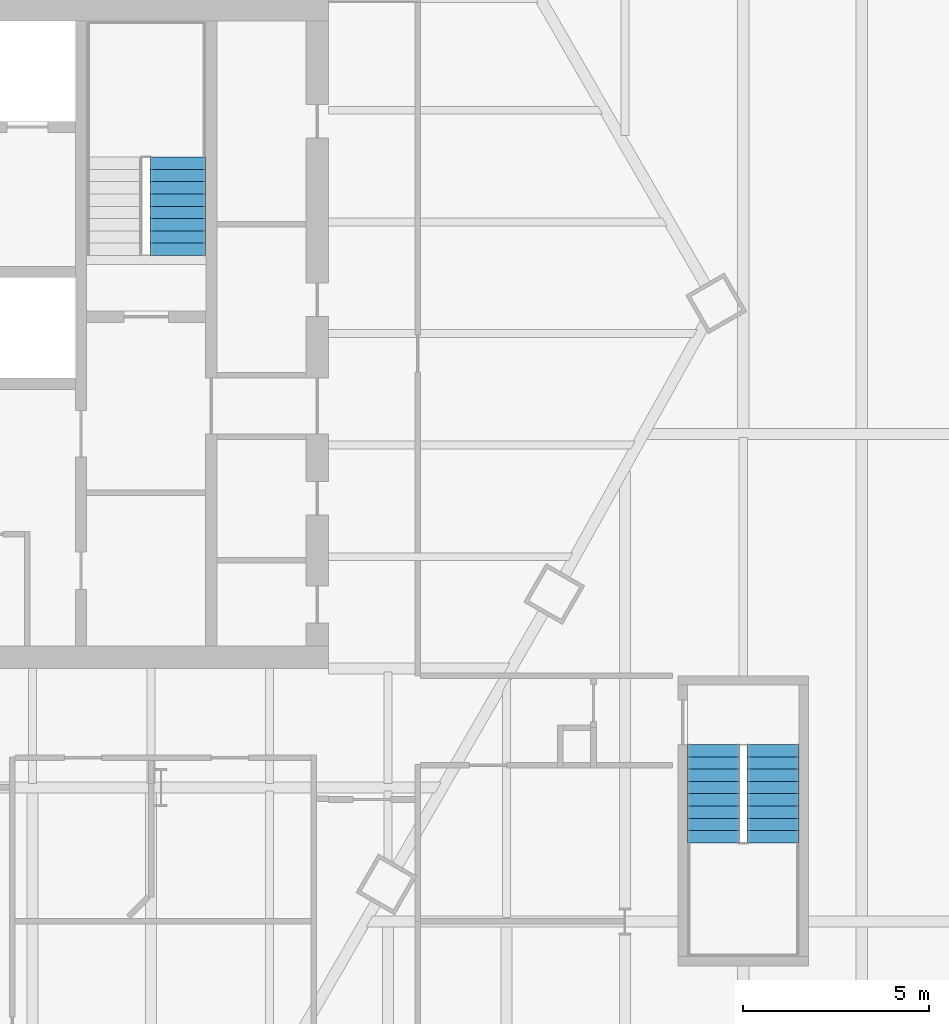
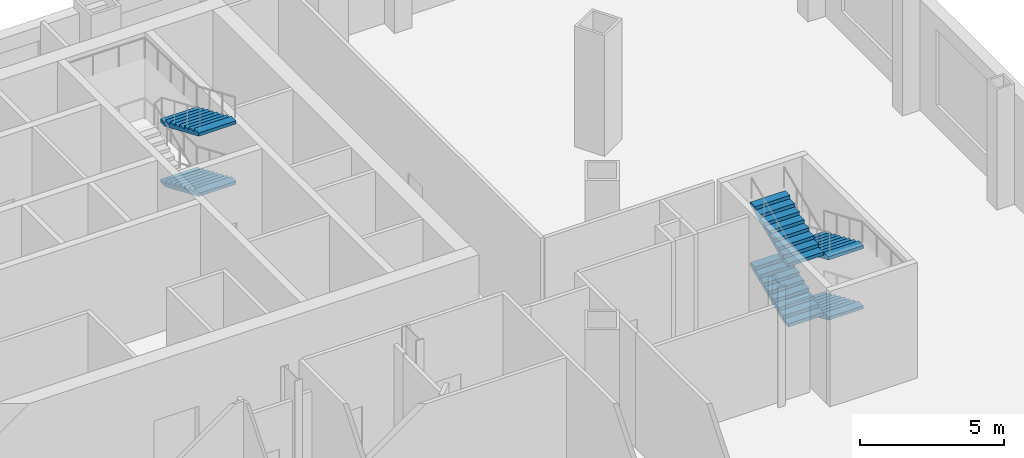
# One storey, part 19 of 21: 6 stair flights, 2 elements without a shape of their own.
"""IFC4 building model written with IfcOpenShell, lengths in metres."""

import ifcopenshell
import ifcopenshell.guid

model = None  # the IFC model being written
_history = None  # IfcOwnerHistory: only IFC2X3 demands one
_inside = {}  # id of a spatial element -> (the spatial element, [elements in it])
_under = {}  # id of a project, library or spatial element -> (it, [spatial elements below it])
_declared = {}  # id of a project -> (the project, [libraries it declares])
_typed = {}  # id of a type object -> (the type object, [elements of that type])
_made_of = {}  # id of a material, layer set ... -> (it, [elements and type objects made of it])


def new_model(schema):
    """Start an empty IFC model of exactly this schema.

    Asked for "IFC4X3", IfcOpenShell would pick the latest addendum, in which some entities
    have other attributes; the version numbers below select the first issue.
    IFC2X3 requires an IfcOwnerHistory on every rooted entity: one is made here for all.
    """
    global model, _history
    if schema == "IFC4X3":
        model = ifcopenshell.file(schema_version=(4, 3, 0, 0))
    else:
        model = ifcopenshell.file(schema=schema)
    _inside.clear()
    _under.clear()
    _declared.clear()
    _typed.clear()
    _made_of.clear()
    _history = None
    if model.schema == "IFC2X3":
        org = make("IfcOrganization", Name="unknown")
        user = make(
            "IfcPersonAndOrganization",
            ThePerson=make("IfcPerson", FamilyName="unknown"),
            TheOrganization=org,
        )
        app = make(
            "IfcApplication",
            ApplicationDeveloper=org,
            Version="unknown",
            ApplicationFullName="unknown",
            ApplicationIdentifier="unknown",
        )
        _history = make(
            "IfcOwnerHistory",
            OwningUser=user,
            OwningApplication=app,
            ChangeAction="ADDED",
            CreationDate=0,
        )
    return model


def make(cls, **values):
    """One entity of the class cls with the attributes given. An attribute that is None is left unset."""
    return model.create_entity(
        cls, **{name: value for name, value in values.items() if value is not None}
    )


def rooted(cls, **values):
    """An entity with a GlobalId (a new one), such as an element, a storey or a relation."""
    return make(cls, GlobalId=ifcopenshell.guid.new(), OwnerHistory=_history, **values)


def si_unit(unit_type, name, prefix=None):
    """IfcSIUnit, for example si_unit("LENGTHUNIT", "METRE", prefix="MILLI")."""
    return make("IfcSIUnit", UnitType=unit_type, Prefix=prefix, Name=name)


def assignment(units):
    """IfcUnitAssignment: the units of a project."""
    return None if units is None else make("IfcUnitAssignment", Units=units)


def point(xyz):
    """IfcCartesianPoint."""
    return None if xyz is None else make("IfcCartesianPoint", Coordinates=xyz)


def direction(xyz):
    """IfcDirection."""
    return None if xyz is None else make("IfcDirection", DirectionRatios=xyz)


def frame(location, z_axis=None, x_axis=None):
    """IfcAxis2Placement3D, a coordinate frame: its origin and axes. An axis left out is left unset."""
    return make(
        "IfcAxis2Placement3D",
        Location=point(location),
        Axis=direction(z_axis),
        RefDirection=direction(x_axis),
    )


def origin():
    """The frame at (0, 0, 0) with its axes left unset."""
    return frame((0.0, 0.0, 0.0))


def place(relative_to, where):
    """IfcLocalPlacement: puts the frame where relative to a parent placement (None: the world)."""
    return make(
        "IfcLocalPlacement", PlacementRelTo=relative_to, RelativePlacement=where
    )


def context(
    kind, dimensions, precision=None, world=None, true_north=None, identifier=None
):
    """IfcGeometricRepresentationContext, for example the 3D "Model" context."""
    return make(
        "IfcGeometricRepresentationContext",
        ContextIdentifier=identifier,
        ContextType=kind,
        CoordinateSpaceDimension=dimensions,
        Precision=precision,
        WorldCoordinateSystem=world,
        TrueNorth=true_north,
    )


def subcontext(parent, identifier, kind, view, scale=None):
    """IfcGeometricRepresentationSubContext, for example "Body" below "Model"."""
    return make(
        "IfcGeometricRepresentationSubContext",
        ContextIdentifier=identifier,
        ContextType=kind,
        ParentContext=parent,
        TargetScale=scale,
        TargetView=view,
    )


def project(units=None, contexts=None):
    """IfcProject with its units and contexts."""
    return rooted(
        "IfcProject",
        Name="project",
        RepresentationContexts=contexts,
        UnitsInContext=assignment(units),
    )


def spatial(cls, under=None, at=None, **own):
    """A site, building, storey or space (cls), placed at a placement, below another one or the project."""
    s = rooted(cls, ObjectPlacement=at, **own)
    if under is not None:
        _under.setdefault(under.id(), (under, []))[1].append(s)
    return s


def point_list(points):
    """IfcCartesianPointList2D or 3D."""
    cls = (
        "IfcCartesianPointList2D" if len(points[0]) == 2 else "IfcCartesianPointList3D"
    )
    return make(cls, CoordList=points)


def polygons(points, faces, closed=None, point_numbers=None):
    """IfcPolygonalFaceSet: a face is its outer loop, then its inner loops; points numbered from 1."""
    made = []
    for loops in faces:
        if len(loops) == 1:
            made.append(make("IfcIndexedPolygonalFace", CoordIndex=loops[0]))
        else:
            made.append(
                make(
                    "IfcIndexedPolygonalFaceWithVoids",
                    CoordIndex=loops[0],
                    InnerCoordIndices=loops[1:],
                )
            )
    return make(
        "IfcPolygonalFaceSet",
        Coordinates=point_list(points),
        Closed=closed,
        Faces=made,
        PnIndex=point_numbers,
    )


def shape(context_of_items, identifier, shape_type, items):
    """IfcShapeRepresentation: the items that make up one representation, for example the "Body"."""
    return make(
        "IfcShapeRepresentation",
        ContextOfItems=context_of_items,
        RepresentationIdentifier=identifier,
        RepresentationType=shape_type,
        Items=items,
    )


def material(Name=None, Category=None):
    """IfcMaterial."""
    return make("IfcMaterial", Name=Name, Category=Category)


def made_of(thing, what):
    """Note that an element or type object is made of a material, layer set ...; save() writes the relation."""
    if what is not None:
        _made_of.setdefault(what.id(), (what, []))[1].append(thing)
    return thing


def type_object(cls, material=None, **own):
    """A type object (cls), such as IfcWallType, which elements share."""
    return made_of(rooted(cls, **own), material)


def element(
    cls,
    number,
    at=None,
    inside=None,
    cuts=None,
    type_object=None,
    material=None,
    context=None,
    identifier="Body",
    shape_type=None,
    held_by="IfcProductDefinitionShape",
    body=None,
    shapes=None,
    **own,
):
    """One element of the class cls, such as IfcWall. Its Tag is "e" and its number.

    at: its placement. inside: the storey or other place that contains it. cuts: it is an
    opening in that element (IfcRelVoidsElement). A single representation is given by context,
    identifier, shape_type and body (its items); several are given by shapes. held_by: the class
    of the entity that holds the representations. save() writes the other relations.
    """
    e = rooted(cls, Tag="e%d" % number, ObjectPlacement=at, **own)
    if body is not None:
        shapes = [shape(context, identifier, shape_type, body)]
    if shapes is not None:
        e.Representation = make(held_by, Representations=shapes)
    if inside is not None:
        _inside.setdefault(inside.id(), (inside, []))[1].append(e)
    if cuts is not None:
        rooted(
            "IfcRelVoidsElement", RelatingBuildingElement=cuts, RelatedOpeningElement=e
        )
    if type_object is not None:
        _typed.setdefault(type_object.id(), (type_object, []))[1].append(e)
    return made_of(e, material)


def aggregate(whole, parts):
    """IfcRelAggregates: a whole, such as a stair, and the parts it consists of."""
    return rooted("IfcRelAggregates", RelatingObject=whole, RelatedObjects=parts)


def save(model, path):
    """Write the relations noted so far, then the file.

    IfcRelAggregates (storeys below a building ...), IfcRelContainedInSpatialStructure (elements
    in a storey), IfcRelDefinesByType, IfcRelAssociatesMaterial and IfcRelDeclares: one each for
    every whole, place, type object, material and project.
    """
    for whole, parts in _under.values():
        aggregate(whole, parts)
    for where, things in _inside.values():
        rooted(
            "IfcRelContainedInSpatialStructure",
            RelatedElements=things,
            RelatingStructure=where,
        )
    for kind, things in _typed.values():
        rooted("IfcRelDefinesByType", RelatedObjects=things, RelatingType=kind)
    for what, things in _made_of.values():
        rooted("IfcRelAssociatesMaterial", RelatedObjects=things, RelatingMaterial=what)
    for by, libraries in _declared.values():
        rooted("IfcRelDeclares", RelatingContext=by, RelatedDefinitions=libraries)
    model.write(path)


model = new_model("IFC4")

# Units and contexts
model_context = context("Model", 3, precision=1e-05, world=origin(), true_north=direction((0.0, 1.0)))
body_context = subcontext(model_context, "Body", "Model", "MODEL_VIEW")
ifc_project = project(units=[si_unit("LENGTHUNIT", "METRE"), si_unit("AREAUNIT", "SQUARE_METRE"), si_unit("VOLUMEUNIT", "CUBIC_METRE"), si_unit("PLANEANGLEUNIT", "RADIAN"), si_unit("MASSUNIT", "GRAM", prefix="KILO")], contexts=[model_context])

# Site, building, storey
site_placement = place(None, origin())
site = spatial("IfcSite", under=ifc_project, at=site_placement, CompositionType="ELEMENT")
building_placement = place(site_placement, origin())
building = spatial("IfcBuilding", under=site, at=building_placement, Name="Njiva Tower", CompositionType="ELEMENT")
storey_placement = place(building_placement, frame((0.0, 0.0, 8.4)))
storey = spatial("IfcBuildingStorey", under=building, at=storey_placement, Name="L01", CompositionType="ELEMENT", Elevation=8.4)

# Stair, stair flights
ifc_material = material(Name="Concrete C40/50", Category="concrete")
stair_type_1 = type_object("IfcStairType", Name="ST2 Exit stair 1400", PredefinedType="HALF_TURN_STAIR", material=ifc_material)
stair_1_placement = place(storey_placement, origin())
stair_1 = element("IfcStair", 1, at=stair_1_placement, inside=storey, type_object=stair_type_1, Name="Stair G", PredefinedType="DOUBLE_RETURN_STAIR")
stair_flight_type_1 = type_object("IfcStairFlightType", Name="FL2 Stair flight 1400", PredefinedType="STRAIGHT", material=ifc_material)
stair_flight_1_placement = place(storey_placement, frame((29.45, -2.05, 0.0), z_axis=(0.0, 0.0, 1.0), x_axis=(0.0, -1.0, 0.0)))
stair_flight_1 = element("IfcStairFlight", 2, at=stair_flight_1_placement, type_object=stair_flight_type_1, Name="ST-G flight 1", NumberOfRisers=9, NumberOfTreads=8, PredefinedType="STRAIGHT", RiserHeight=0.141666667, TreadLength=0.33, context=body_context, shape_type="Tessellation", body=[
    polygons([(0.0, 0.7, 0.0), (0.0, 0.35, 0.0), (0.0, 0.0, 0.0), (0.0, -0.35, 0.0), (0.0, -0.7, 0.0), (0.0, 0.7, 0.1417), (0.0, 0.35, 0.1417), (0.0, 0.0, 0.1417), (0.0, -0.35, 0.1417), (0.0, -0.7, 0.1417), (0.33, 0.7, 0.1417), (0.33, 0.35, 0.1417), (0.33, 0.0, 0.1417), (0.33, -0.35, 0.1417), (0.33, -0.7, 0.1417), (0.33, 0.7, 0.2833), (0.33, 0.35, 0.2833), (0.33, 0.0, 0.2833), (0.33, -0.35, 0.2833), (0.33, -0.7, 0.2833), (0.66, 0.7, 0.2833), (0.66, 0.35, 0.2833), (0.66, 0.0, 0.2833), (0.66, -0.35, 0.2833), (0.66, -0.7, 0.2833), (0.66, 0.7, 0.425), (0.66, 0.35, 0.425), (0.66, 0.0, 0.425), (0.66, -0.35, 0.425), (0.66, -0.7, 0.425), (0.99, 0.7, 0.425), (0.99, 0.35, 0.425), (0.99, 0.0, 0.425), (0.99, -0.35, 0.425), (0.99, -0.7, 0.425), (0.99, 0.7, 0.5667), (0.99, 0.35, 0.5667), (0.99, 0.0, 0.5667), (0.99, -0.35, 0.5667), (0.99, -0.7, 0.5667), (1.32, 0.7, 0.5667), (1.32, 0.35, 0.5667), (1.32, 0.0, 0.5667), (1.32, -0.35, 0.5667), (1.32, -0.7, 0.5667), (1.32, 0.7, 0.7083), (1.32, 0.35, 0.7083), (1.32, 0.0, 0.7083), (1.32, -0.35, 0.7083), (1.32, -0.7, 0.7083), (1.65, 0.7, 0.7083), (1.65, 0.35, 0.7083), (1.65, 0.0, 0.7083), (1.65, -0.35, 0.7083), (1.65, -0.7, 0.7083), (1.65, 0.7, 0.85), (1.65, 0.35, 0.85), (1.65, 0.0, 0.85), (1.65, -0.35, 0.85), (1.65, -0.7, 0.85), (1.98, 0.7, 0.85), (1.98, 0.35, 0.85), (1.98, 0.0, 0.85), (1.98, -0.35, 0.85), (1.98, -0.7, 0.85), (1.98, 0.7, 0.9917), (1.98, 0.35, 0.9917), (1.98, 0.0, 0.9917), (1.98, -0.35, 0.9917), (1.98, -0.7, 0.9917), (2.31, 0.7, 0.9917), (2.31, 0.35, 0.9917), (2.31, 0.0, 0.9917), (2.31, -0.35, 0.9917), (2.31, -0.7, 0.9917), (2.31, 0.7, 1.1333), (2.31, 0.35, 1.1333), (2.31, 0.0, 1.1333), (2.31, -0.35, 1.1333), (2.31, -0.7, 1.1333), (2.64, 0.7, 1.1333), (2.64, 0.35, 1.1333), (2.64, 0.0, 1.1333), (2.64, -0.35, 1.1333), (2.64, -0.7, 1.1333), (2.64, 0.7, 1.0027), (2.64, 0.35, 1.0027), (2.64, 0.0, 1.0027), (2.64, -0.35, 1.0027), (2.64, -0.7, 1.0027), (0.3042, 0.7, 0.0), (0.3042, 0.35, 0.0), (0.3042, 0.0, 0.0), (0.3042, -0.35, 0.0), (0.3042, -0.7, 0.0)], [[[1, 6, 11, 16, 21, 26, 31, 36, 41, 46, 51, 56, 61, 66, 71, 76, 81, 86, 91]], [[95, 90, 85, 80, 75, 70, 65, 60, 55, 50, 45, 40, 35, 30, 25, 20, 15, 10, 5]], [[6, 1, 2, 7]], [[7, 2, 3, 8]], [[8, 3, 4, 9]], [[9, 4, 5, 10]], [[11, 6, 7, 12]], [[12, 7, 8, 13]], [[13, 8, 9, 14]], [[14, 9, 10, 15]], [[16, 11, 12, 17]], [[17, 12, 13, 18]], [[18, 13, 14, 19]], [[19, 14, 15, 20]], [[21, 16, 17, 22]], [[22, 17, 18, 23]], [[23, 18, 19, 24]], [[24, 19, 20, 25]], [[26, 21, 22, 27]], [[27, 22, 23, 28]], [[28, 23, 24, 29]], [[29, 24, 25, 30]], [[31, 26, 27, 32]], [[32, 27, 28, 33]], [[33, 28, 29, 34]], [[34, 29, 30, 35]], [[36, 31, 32, 37]], [[37, 32, 33, 38]], [[38, 33, 34, 39]], [[39, 34, 35, 40]], [[41, 36, 37, 42]], [[42, 37, 38, 43]], [[43, 38, 39, 44]], [[44, 39, 40, 45]], [[46, 41, 42, 47]], [[47, 42, 43, 48]], [[48, 43, 44, 49]], [[49, 44, 45, 50]], [[51, 46, 47, 52]], [[52, 47, 48, 53]], [[53, 48, 49, 54]], [[54, 49, 50, 55]], [[56, 51, 52, 57]], [[57, 52, 53, 58]], [[58, 53, 54, 59]], [[59, 54, 55, 60]], [[61, 56, 57, 62]], [[62, 57, 58, 63]], [[63, 58, 59, 64]], [[64, 59, 60, 65]], [[66, 61, 62, 67]], [[67, 62, 63, 68]], [[68, 63, 64, 69]], [[69, 64, 65, 70]], [[71, 66, 67, 72]], [[72, 67, 68, 73]], [[73, 68, 69, 74]], [[74, 69, 70, 75]], [[76, 71, 72, 77]], [[77, 72, 73, 78]], [[78, 73, 74, 79]], [[79, 74, 75, 80]], [[81, 76, 77, 82]], [[82, 77, 78, 83]], [[83, 78, 79, 84]], [[84, 79, 80, 85]], [[86, 81, 82, 87]], [[87, 82, 83, 88]], [[88, 83, 84, 89]], [[89, 84, 85, 90]], [[91, 86, 87, 92]], [[92, 87, 88, 93]], [[93, 88, 89, 94]], [[94, 89, 90, 95]], [[1, 91, 92, 2]], [[2, 92, 93, 3]], [[3, 93, 94, 4]], [[4, 94, 95, 5]]], closed=True),
])
stair_flight_2_placement = place(storey_placement, frame((27.85, -4.69, 1.275), z_axis=(0.0, 0.0, 1.0), x_axis=(0.0, 1.0, 0.0)))
stair_flight_2 = element("IfcStairFlight", 3, at=stair_flight_2_placement, type_object=stair_flight_type_1, Name="ST-G flight 2", NumberOfRisers=9, NumberOfTreads=8, PredefinedType="STRAIGHT", RiserHeight=0.141666667, TreadLength=0.33, context=body_context, shape_type="Tessellation", body=[
    polygons([(0.0, 0.7, 0.0), (0.0, 0.35, 0.0), (0.0, 0.0, 0.0), (0.0, -0.35, 0.0), (0.0, -0.7, 0.0), (0.0, 0.7, 0.1417), (0.0, 0.35, 0.1417), (0.0, 0.0, 0.1417), (0.0, -0.35, 0.1417), (0.0, -0.7, 0.1417), (0.33, 0.7, 0.1417), (0.33, 0.35, 0.1417), (0.33, 0.0, 0.1417), (0.33, -0.35, 0.1417), (0.33, -0.7, 0.1417), (0.33, 0.7, 0.2833), (0.33, 0.35, 0.2833), (0.33, 0.0, 0.2833), (0.33, -0.35, 0.2833), (0.33, -0.7, 0.2833), (0.66, 0.7, 0.2833), (0.66, 0.35, 0.2833), (0.66, 0.0, 0.2833), (0.66, -0.35, 0.2833), (0.66, -0.7, 0.2833), (0.66, 0.7, 0.425), (0.66, 0.35, 0.425), (0.66, 0.0, 0.425), (0.66, -0.35, 0.425), (0.66, -0.7, 0.425), (0.99, 0.7, 0.425), (0.99, 0.35, 0.425), (0.99, 0.0, 0.425), (0.99, -0.35, 0.425), (0.99, -0.7, 0.425), (0.99, 0.7, 0.5667), (0.99, 0.35, 0.5667), (0.99, 0.0, 0.5667), (0.99, -0.35, 0.5667), (0.99, -0.7, 0.5667), (1.32, 0.7, 0.5667), (1.32, 0.35, 0.5667), (1.32, 0.0, 0.5667), (1.32, -0.35, 0.5667), (1.32, -0.7, 0.5667), (1.32, 0.7, 0.7083), (1.32, 0.35, 0.7083), (1.32, 0.0, 0.7083), (1.32, -0.35, 0.7083), (1.32, -0.7, 0.7083), (1.65, 0.7, 0.7083), (1.65, 0.35, 0.7083), (1.65, 0.0, 0.7083), (1.65, -0.35, 0.7083), (1.65, -0.7, 0.7083), (1.65, 0.7, 0.85), (1.65, 0.35, 0.85), (1.65, 0.0, 0.85), (1.65, -0.35, 0.85), (1.65, -0.7, 0.85), (1.98, 0.7, 0.85), (1.98, 0.35, 0.85), (1.98, 0.0, 0.85), (1.98, -0.35, 0.85), (1.98, -0.7, 0.85), (1.98, 0.7, 0.9917), (1.98, 0.35, 0.9917), (1.98, 0.0, 0.9917), (1.98, -0.35, 0.9917), (1.98, -0.7, 0.9917), (2.31, 0.7, 0.9917), (2.31, 0.35, 0.9917), (2.31, 0.0, 0.9917), (2.31, -0.35, 0.9917), (2.31, -0.7, 0.9917), (2.31, 0.7, 1.1333), (2.31, 0.35, 1.1333), (2.31, 0.0, 1.1333), (2.31, -0.35, 1.1333), (2.31, -0.7, 1.1333), (2.64, 0.7, 1.1333), (2.64, 0.35, 1.1333), (2.64, 0.0, 1.1333), (2.64, -0.35, 1.1333), (2.64, -0.7, 1.1333), (2.64, 0.7, 1.0027), (2.64, 0.35, 1.0027), (2.64, 0.0, 1.0027), (2.64, -0.35, 1.0027), (2.64, -0.7, 1.0027), (0.3042, 0.7, 0.0), (0.3042, 0.35, 0.0), (0.3042, 0.0, 0.0), (0.3042, -0.35, 0.0), (0.3042, -0.7, 0.0)], [[[1, 6, 11, 16, 21, 26, 31, 36, 41, 46, 51, 56, 61, 66, 71, 76, 81, 86, 91]], [[95, 90, 85, 80, 75, 70, 65, 60, 55, 50, 45, 40, 35, 30, 25, 20, 15, 10, 5]], [[6, 1, 2, 7]], [[7, 2, 3, 8]], [[8, 3, 4, 9]], [[9, 4, 5, 10]], [[11, 6, 7, 12]], [[12, 7, 8, 13]], [[13, 8, 9, 14]], [[14, 9, 10, 15]], [[16, 11, 12, 17]], [[17, 12, 13, 18]], [[18, 13, 14, 19]], [[19, 14, 15, 20]], [[21, 16, 17, 22]], [[22, 17, 18, 23]], [[23, 18, 19, 24]], [[24, 19, 20, 25]], [[26, 21, 22, 27]], [[27, 22, 23, 28]], [[28, 23, 24, 29]], [[29, 24, 25, 30]], [[31, 26, 27, 32]], [[32, 27, 28, 33]], [[33, 28, 29, 34]], [[34, 29, 30, 35]], [[36, 31, 32, 37]], [[37, 32, 33, 38]], [[38, 33, 34, 39]], [[39, 34, 35, 40]], [[41, 36, 37, 42]], [[42, 37, 38, 43]], [[43, 38, 39, 44]], [[44, 39, 40, 45]], [[46, 41, 42, 47]], [[47, 42, 43, 48]], [[48, 43, 44, 49]], [[49, 44, 45, 50]], [[51, 46, 47, 52]], [[52, 47, 48, 53]], [[53, 48, 49, 54]], [[54, 49, 50, 55]], [[56, 51, 52, 57]], [[57, 52, 53, 58]], [[58, 53, 54, 59]], [[59, 54, 55, 60]], [[61, 56, 57, 62]], [[62, 57, 58, 63]], [[63, 58, 59, 64]], [[64, 59, 60, 65]], [[66, 61, 62, 67]], [[67, 62, 63, 68]], [[68, 63, 64, 69]], [[69, 64, 65, 70]], [[71, 66, 67, 72]], [[72, 67, 68, 73]], [[73, 68, 69, 74]], [[74, 69, 70, 75]], [[76, 71, 72, 77]], [[77, 72, 73, 78]], [[78, 73, 74, 79]], [[79, 74, 75, 80]], [[81, 76, 77, 82]], [[82, 77, 78, 83]], [[83, 78, 79, 84]], [[84, 79, 80, 85]], [[86, 81, 82, 87]], [[87, 82, 83, 88]], [[88, 83, 84, 89]], [[89, 84, 85, 90]], [[91, 86, 87, 92]], [[92, 87, 88, 93]], [[93, 88, 89, 94]], [[94, 89, 90, 95]], [[1, 91, 92, 2]], [[2, 92, 93, 3]], [[3, 93, 94, 4]], [[4, 94, 95, 5]]], closed=True),
])
stair_flight_3_placement = place(storey_placement, frame((29.45, -2.05, 2.55), z_axis=(0.0, 0.0, 1.0), x_axis=(0.0, -1.0, 0.0)))
stair_flight_3 = element("IfcStairFlight", 4, at=stair_flight_3_placement, type_object=stair_flight_type_1, Name="ST-G flight 3", NumberOfRisers=9, NumberOfTreads=8, PredefinedType="STRAIGHT", RiserHeight=0.141666667, TreadLength=0.33, context=body_context, shape_type="Tessellation", body=[
    polygons([(0.0, 0.7, 0.0), (0.0, 0.35, 0.0), (0.0, 0.0, 0.0), (0.0, -0.35, 0.0), (0.0, -0.7, 0.0), (0.0, 0.7, 0.1417), (0.0, 0.35, 0.1417), (0.0, 0.0, 0.1417), (0.0, -0.35, 0.1417), (0.0, -0.7, 0.1417), (0.33, 0.7, 0.1417), (0.33, 0.35, 0.1417), (0.33, 0.0, 0.1417), (0.33, -0.35, 0.1417), (0.33, -0.7, 0.1417), (0.33, 0.7, 0.2833), (0.33, 0.35, 0.2833), (0.33, 0.0, 0.2833), (0.33, -0.35, 0.2833), (0.33, -0.7, 0.2833), (0.66, 0.7, 0.2833), (0.66, 0.35, 0.2833), (0.66, 0.0, 0.2833), (0.66, -0.35, 0.2833), (0.66, -0.7, 0.2833), (0.66, 0.7, 0.425), (0.66, 0.35, 0.425), (0.66, 0.0, 0.425), (0.66, -0.35, 0.425), (0.66, -0.7, 0.425), (0.99, 0.7, 0.425), (0.99, 0.35, 0.425), (0.99, 0.0, 0.425), (0.99, -0.35, 0.425), (0.99, -0.7, 0.425), (0.99, 0.7, 0.5667), (0.99, 0.35, 0.5667), (0.99, 0.0, 0.5667), (0.99, -0.35, 0.5667), (0.99, -0.7, 0.5667), (1.32, 0.7, 0.5667), (1.32, 0.35, 0.5667), (1.32, 0.0, 0.5667), (1.32, -0.35, 0.5667), (1.32, -0.7, 0.5667), (1.32, 0.7, 0.7083), (1.32, 0.35, 0.7083), (1.32, 0.0, 0.7083), (1.32, -0.35, 0.7083), (1.32, -0.7, 0.7083), (1.65, 0.7, 0.7083), (1.65, 0.35, 0.7083), (1.65, 0.0, 0.7083), (1.65, -0.35, 0.7083), (1.65, -0.7, 0.7083), (1.65, 0.7, 0.85), (1.65, 0.35, 0.85), (1.65, 0.0, 0.85), (1.65, -0.35, 0.85), (1.65, -0.7, 0.85), (1.98, 0.7, 0.85), (1.98, 0.35, 0.85), (1.98, 0.0, 0.85), (1.98, -0.35, 0.85), (1.98, -0.7, 0.85), (1.98, 0.7, 0.9917), (1.98, 0.35, 0.9917), (1.98, 0.0, 0.9917), (1.98, -0.35, 0.9917), (1.98, -0.7, 0.9917), (2.31, 0.7, 0.9917), (2.31, 0.35, 0.9917), (2.31, 0.0, 0.9917), (2.31, -0.35, 0.9917), (2.31, -0.7, 0.9917), (2.31, 0.7, 1.1333), (2.31, 0.35, 1.1333), (2.31, 0.0, 1.1333), (2.31, -0.35, 1.1333), (2.31, -0.7, 1.1333), (2.64, 0.7, 1.1333), (2.64, 0.35, 1.1333), (2.64, 0.0, 1.1333), (2.64, -0.35, 1.1333), (2.64, -0.7, 1.1333), (2.64, 0.7, 1.0027), (2.64, 0.35, 1.0027), (2.64, 0.0, 1.0027), (2.64, -0.35, 1.0027), (2.64, -0.7, 1.0027), (0.3042, 0.7, 0.0), (0.3042, 0.35, 0.0), (0.3042, 0.0, 0.0), (0.3042, -0.35, 0.0), (0.3042, -0.7, 0.0)], [[[1, 6, 11, 16, 21, 26, 31, 36, 41, 46, 51, 56, 61, 66, 71, 76, 81, 86, 91]], [[95, 90, 85, 80, 75, 70, 65, 60, 55, 50, 45, 40, 35, 30, 25, 20, 15, 10, 5]], [[6, 1, 2, 7]], [[7, 2, 3, 8]], [[8, 3, 4, 9]], [[9, 4, 5, 10]], [[11, 6, 7, 12]], [[12, 7, 8, 13]], [[13, 8, 9, 14]], [[14, 9, 10, 15]], [[16, 11, 12, 17]], [[17, 12, 13, 18]], [[18, 13, 14, 19]], [[19, 14, 15, 20]], [[21, 16, 17, 22]], [[22, 17, 18, 23]], [[23, 18, 19, 24]], [[24, 19, 20, 25]], [[26, 21, 22, 27]], [[27, 22, 23, 28]], [[28, 23, 24, 29]], [[29, 24, 25, 30]], [[31, 26, 27, 32]], [[32, 27, 28, 33]], [[33, 28, 29, 34]], [[34, 29, 30, 35]], [[36, 31, 32, 37]], [[37, 32, 33, 38]], [[38, 33, 34, 39]], [[39, 34, 35, 40]], [[41, 36, 37, 42]], [[42, 37, 38, 43]], [[43, 38, 39, 44]], [[44, 39, 40, 45]], [[46, 41, 42, 47]], [[47, 42, 43, 48]], [[48, 43, 44, 49]], [[49, 44, 45, 50]], [[51, 46, 47, 52]], [[52, 47, 48, 53]], [[53, 48, 49, 54]], [[54, 49, 50, 55]], [[56, 51, 52, 57]], [[57, 52, 53, 58]], [[58, 53, 54, 59]], [[59, 54, 55, 60]], [[61, 56, 57, 62]], [[62, 57, 58, 63]], [[63, 58, 59, 64]], [[64, 59, 60, 65]], [[66, 61, 62, 67]], [[67, 62, 63, 68]], [[68, 63, 64, 69]], [[69, 64, 65, 70]], [[71, 66, 67, 72]], [[72, 67, 68, 73]], [[73, 68, 69, 74]], [[74, 69, 70, 75]], [[76, 71, 72, 77]], [[77, 72, 73, 78]], [[78, 73, 74, 79]], [[79, 74, 75, 80]], [[81, 76, 77, 82]], [[82, 77, 78, 83]], [[83, 78, 79, 84]], [[84, 79, 80, 85]], [[86, 81, 82, 87]], [[87, 82, 83, 88]], [[88, 83, 84, 89]], [[89, 84, 85, 90]], [[91, 86, 87, 92]], [[92, 87, 88, 93]], [[93, 88, 89, 94]], [[94, 89, 90, 95]], [[1, 91, 92, 2]], [[2, 92, 93, 3]], [[3, 93, 94, 4]], [[4, 94, 95, 5]]], closed=True),
])
stair_flight_4_placement = place(storey_placement, frame((27.85, -4.69, 3.825), z_axis=(0.0, 0.0, 1.0), x_axis=(0.0, 1.0, 0.0)))
stair_flight_4 = element("IfcStairFlight", 5, at=stair_flight_4_placement, type_object=stair_flight_type_1, Name="ST-G flight 4", NumberOfRisers=9, NumberOfTreads=8, PredefinedType="STRAIGHT", RiserHeight=0.141666667, TreadLength=0.33, context=body_context, shape_type="Tessellation", body=[
    polygons([(0.0, 0.7, 0.0), (0.0, 0.35, 0.0), (0.0, 0.0, 0.0), (0.0, -0.35, 0.0), (0.0, -0.7, 0.0), (0.0, 0.7, 0.1417), (0.0, 0.35, 0.1417), (0.0, 0.0, 0.1417), (0.0, -0.35, 0.1417), (0.0, -0.7, 0.1417), (0.33, 0.7, 0.1417), (0.33, 0.35, 0.1417), (0.33, 0.0, 0.1417), (0.33, -0.35, 0.1417), (0.33, -0.7, 0.1417), (0.33, 0.7, 0.2833), (0.33, 0.35, 0.2833), (0.33, 0.0, 0.2833), (0.33, -0.35, 0.2833), (0.33, -0.7, 0.2833), (0.66, 0.7, 0.2833), (0.66, 0.35, 0.2833), (0.66, 0.0, 0.2833), (0.66, -0.35, 0.2833), (0.66, -0.7, 0.2833), (0.66, 0.7, 0.425), (0.66, 0.35, 0.425), (0.66, 0.0, 0.425), (0.66, -0.35, 0.425), (0.66, -0.7, 0.425), (0.99, 0.7, 0.425), (0.99, 0.35, 0.425), (0.99, 0.0, 0.425), (0.99, -0.35, 0.425), (0.99, -0.7, 0.425), (0.99, 0.7, 0.5667), (0.99, 0.35, 0.5667), (0.99, 0.0, 0.5667), (0.99, -0.35, 0.5667), (0.99, -0.7, 0.5667), (1.32, 0.7, 0.5667), (1.32, 0.35, 0.5667), (1.32, 0.0, 0.5667), (1.32, -0.35, 0.5667), (1.32, -0.7, 0.5667), (1.32, 0.7, 0.7083), (1.32, 0.35, 0.7083), (1.32, 0.0, 0.7083), (1.32, -0.35, 0.7083), (1.32, -0.7, 0.7083), (1.65, 0.7, 0.7083), (1.65, 0.35, 0.7083), (1.65, 0.0, 0.7083), (1.65, -0.35, 0.7083), (1.65, -0.7, 0.7083), (1.65, 0.7, 0.85), (1.65, 0.35, 0.85), (1.65, 0.0, 0.85), (1.65, -0.35, 0.85), (1.65, -0.7, 0.85), (1.98, 0.7, 0.85), (1.98, 0.35, 0.85), (1.98, 0.0, 0.85), (1.98, -0.35, 0.85), (1.98, -0.7, 0.85), (1.98, 0.7, 0.9917), (1.98, 0.35, 0.9917), (1.98, 0.0, 0.9917), (1.98, -0.35, 0.9917), (1.98, -0.7, 0.9917), (2.31, 0.7, 0.9917), (2.31, 0.35, 0.9917), (2.31, 0.0, 0.9917), (2.31, -0.35, 0.9917), (2.31, -0.7, 0.9917), (2.31, 0.7, 1.1333), (2.31, 0.35, 1.1333), (2.31, 0.0, 1.1333), (2.31, -0.35, 1.1333), (2.31, -0.7, 1.1333), (2.64, 0.7, 1.1333), (2.64, 0.35, 1.1333), (2.64, 0.0, 1.1333), (2.64, -0.35, 1.1333), (2.64, -0.7, 1.1333), (2.64, 0.7, 1.0027), (2.64, 0.35, 1.0027), (2.64, 0.0, 1.0027), (2.64, -0.35, 1.0027), (2.64, -0.7, 1.0027), (0.3042, 0.7, 0.0), (0.3042, 0.35, 0.0), (0.3042, 0.0, 0.0), (0.3042, -0.35, 0.0), (0.3042, -0.7, 0.0)], [[[1, 6, 11, 16, 21, 26, 31, 36, 41, 46, 51, 56, 61, 66, 71, 76, 81, 86, 91]], [[95, 90, 85, 80, 75, 70, 65, 60, 55, 50, 45, 40, 35, 30, 25, 20, 15, 10, 5]], [[6, 1, 2, 7]], [[7, 2, 3, 8]], [[8, 3, 4, 9]], [[9, 4, 5, 10]], [[11, 6, 7, 12]], [[12, 7, 8, 13]], [[13, 8, 9, 14]], [[14, 9, 10, 15]], [[16, 11, 12, 17]], [[17, 12, 13, 18]], [[18, 13, 14, 19]], [[19, 14, 15, 20]], [[21, 16, 17, 22]], [[22, 17, 18, 23]], [[23, 18, 19, 24]], [[24, 19, 20, 25]], [[26, 21, 22, 27]], [[27, 22, 23, 28]], [[28, 23, 24, 29]], [[29, 24, 25, 30]], [[31, 26, 27, 32]], [[32, 27, 28, 33]], [[33, 28, 29, 34]], [[34, 29, 30, 35]], [[36, 31, 32, 37]], [[37, 32, 33, 38]], [[38, 33, 34, 39]], [[39, 34, 35, 40]], [[41, 36, 37, 42]], [[42, 37, 38, 43]], [[43, 38, 39, 44]], [[44, 39, 40, 45]], [[46, 41, 42, 47]], [[47, 42, 43, 48]], [[48, 43, 44, 49]], [[49, 44, 45, 50]], [[51, 46, 47, 52]], [[52, 47, 48, 53]], [[53, 48, 49, 54]], [[54, 49, 50, 55]], [[56, 51, 52, 57]], [[57, 52, 53, 58]], [[58, 53, 54, 59]], [[59, 54, 55, 60]], [[61, 56, 57, 62]], [[62, 57, 58, 63]], [[63, 58, 59, 64]], [[64, 59, 60, 65]], [[66, 61, 62, 67]], [[67, 62, 63, 68]], [[68, 63, 64, 69]], [[69, 64, 65, 70]], [[71, 66, 67, 72]], [[72, 67, 68, 73]], [[73, 68, 69, 74]], [[74, 69, 70, 75]], [[76, 71, 72, 77]], [[77, 72, 73, 78]], [[78, 73, 74, 79]], [[79, 74, 75, 80]], [[81, 76, 77, 82]], [[82, 77, 78, 83]], [[83, 78, 79, 84]], [[84, 79, 80, 85]], [[86, 81, 82, 87]], [[87, 82, 83, 88]], [[88, 83, 84, 89]], [[89, 84, 85, 90]], [[91, 86, 87, 92]], [[92, 87, 88, 93]], [[93, 88, 89, 94]], [[94, 89, 90, 95]], [[1, 91, 92, 2]], [[2, 92, 93, 3]], [[3, 93, 94, 4]], [[4, 94, 95, 5]]], closed=True),
])
aggregate(stair_1, [stair_flight_1, stair_flight_2, stair_flight_3, stair_flight_4])

stair_type_2 = type_object("IfcStairType", Name="ST4 Exit stair 1500", PredefinedType="HALF_TURN_STAIR", material=ifc_material)
stair_2_placement = place(storey_placement, origin())
stair_2 = element("IfcStair", 6, at=stair_2_placement, inside=storey, type_object=stair_type_2, Name="Stair B", PredefinedType="DOUBLE_RETURN_STAIR")
stair_flight_type_2 = type_object("IfcStairFlightType", Name="FL4 Stair flight 1500", PredefinedType="STRAIGHT", material=ifc_material)
stair_flight_5_placement = place(storey_placement, frame((13.45, 13.74, 1.275), z_axis=(0.0, 0.0, 1.0), x_axis=(0.0, -1.0, 0.0)))
stair_flight_5 = element("IfcStairFlight", 7, at=stair_flight_5_placement, type_object=stair_flight_type_2, Name="ST-B flight 2", NumberOfRisers=9, NumberOfTreads=8, PredefinedType="STRAIGHT", RiserHeight=0.141666667, TreadLength=0.33, context=body_context, shape_type="Tessellation", body=[
    polygons([(0.0, 0.75, 0.0), (0.0, 0.375, 0.0), (0.0, 0.0, 0.0), (0.0, -0.375, 0.0), (0.0, -0.75, 0.0), (0.0, 0.75, 0.1417), (0.0, 0.375, 0.1417), (0.0, 0.0, 0.1417), (0.0, -0.375, 0.1417), (0.0, -0.75, 0.1417), (0.33, 0.75, 0.1417), (0.33, 0.375, 0.1417), (0.33, 0.0, 0.1417), (0.33, -0.375, 0.1417), (0.33, -0.75, 0.1417), (0.33, 0.75, 0.2833), (0.33, 0.375, 0.2833), (0.33, 0.0, 0.2833), (0.33, -0.375, 0.2833), (0.33, -0.75, 0.2833), (0.66, 0.75, 0.2833), (0.66, 0.375, 0.2833), (0.66, 0.0, 0.2833), (0.66, -0.375, 0.2833), (0.66, -0.75, 0.2833), (0.66, 0.75, 0.425), (0.66, 0.375, 0.425), (0.66, 0.0, 0.425), (0.66, -0.375, 0.425), (0.66, -0.75, 0.425), (0.99, 0.75, 0.425), (0.99, 0.375, 0.425), (0.99, 0.0, 0.425), (0.99, -0.375, 0.425), (0.99, -0.75, 0.425), (0.99, 0.75, 0.5667), (0.99, 0.375, 0.5667), (0.99, 0.0, 0.5667), (0.99, -0.375, 0.5667), (0.99, -0.75, 0.5667), (1.32, 0.75, 0.5667), (1.32, 0.375, 0.5667), (1.32, 0.0, 0.5667), (1.32, -0.375, 0.5667), (1.32, -0.75, 0.5667), (1.32, 0.75, 0.7083), (1.32, 0.375, 0.7083), (1.32, 0.0, 0.7083), (1.32, -0.375, 0.7083), (1.32, -0.75, 0.7083), (1.65, 0.75, 0.7083), (1.65, 0.375, 0.7083), (1.65, 0.0, 0.7083), (1.65, -0.375, 0.7083), (1.65, -0.75, 0.7083), (1.65, 0.75, 0.85), (1.65, 0.375, 0.85), (1.65, 0.0, 0.85), (1.65, -0.375, 0.85), (1.65, -0.75, 0.85), (1.98, 0.75, 0.85), (1.98, 0.375, 0.85), (1.98, 0.0, 0.85), (1.98, -0.375, 0.85), (1.98, -0.75, 0.85), (1.98, 0.75, 0.9917), (1.98, 0.375, 0.9917), (1.98, 0.0, 0.9917), (1.98, -0.375, 0.9917), (1.98, -0.75, 0.9917), (2.31, 0.75, 0.9917), (2.31, 0.375, 0.9917), (2.31, 0.0, 0.9917), (2.31, -0.375, 0.9917), (2.31, -0.75, 0.9917), (2.31, 0.75, 1.1333), (2.31, 0.375, 1.1333), (2.31, 0.0, 1.1333), (2.31, -0.375, 1.1333), (2.31, -0.75, 1.1333), (2.64, 0.75, 1.1333), (2.64, 0.375, 1.1333), (2.64, 0.0, 1.1333), (2.64, -0.375, 1.1333), (2.64, -0.75, 1.1333), (2.64, 0.75, 1.0027), (2.64, 0.375, 1.0027), (2.64, 0.0, 1.0027), (2.64, -0.375, 1.0027), (2.64, -0.75, 1.0027), (0.3042, 0.75, 0.0), (0.3042, 0.375, 0.0), (0.3042, 0.0, 0.0), (0.3042, -0.375, 0.0), (0.3042, -0.75, 0.0)], [[[1, 6, 11, 16, 21, 26, 31, 36, 41, 46, 51, 56, 61, 66, 71, 76, 81, 86, 91]], [[95, 90, 85, 80, 75, 70, 65, 60, 55, 50, 45, 40, 35, 30, 25, 20, 15, 10, 5]], [[6, 1, 2, 7]], [[7, 2, 3, 8]], [[8, 3, 4, 9]], [[9, 4, 5, 10]], [[11, 6, 7, 12]], [[12, 7, 8, 13]], [[13, 8, 9, 14]], [[14, 9, 10, 15]], [[16, 11, 12, 17]], [[17, 12, 13, 18]], [[18, 13, 14, 19]], [[19, 14, 15, 20]], [[21, 16, 17, 22]], [[22, 17, 18, 23]], [[23, 18, 19, 24]], [[24, 19, 20, 25]], [[26, 21, 22, 27]], [[27, 22, 23, 28]], [[28, 23, 24, 29]], [[29, 24, 25, 30]], [[31, 26, 27, 32]], [[32, 27, 28, 33]], [[33, 28, 29, 34]], [[34, 29, 30, 35]], [[36, 31, 32, 37]], [[37, 32, 33, 38]], [[38, 33, 34, 39]], [[39, 34, 35, 40]], [[41, 36, 37, 42]], [[42, 37, 38, 43]], [[43, 38, 39, 44]], [[44, 39, 40, 45]], [[46, 41, 42, 47]], [[47, 42, 43, 48]], [[48, 43, 44, 49]], [[49, 44, 45, 50]], [[51, 46, 47, 52]], [[52, 47, 48, 53]], [[53, 48, 49, 54]], [[54, 49, 50, 55]], [[56, 51, 52, 57]], [[57, 52, 53, 58]], [[58, 53, 54, 59]], [[59, 54, 55, 60]], [[61, 56, 57, 62]], [[62, 57, 58, 63]], [[63, 58, 59, 64]], [[64, 59, 60, 65]], [[66, 61, 62, 67]], [[67, 62, 63, 68]], [[68, 63, 64, 69]], [[69, 64, 65, 70]], [[71, 66, 67, 72]], [[72, 67, 68, 73]], [[73, 68, 69, 74]], [[74, 69, 70, 75]], [[76, 71, 72, 77]], [[77, 72, 73, 78]], [[78, 73, 74, 79]], [[79, 74, 75, 80]], [[81, 76, 77, 82]], [[82, 77, 78, 83]], [[83, 78, 79, 84]], [[84, 79, 80, 85]], [[86, 81, 82, 87]], [[87, 82, 83, 88]], [[88, 83, 84, 89]], [[89, 84, 85, 90]], [[91, 86, 87, 92]], [[92, 87, 88, 93]], [[93, 88, 89, 94]], [[94, 89, 90, 95]], [[1, 91, 92, 2]], [[2, 92, 93, 3]], [[3, 93, 94, 4]], [[4, 94, 95, 5]]], closed=True),
])
stair_flight_6_placement = place(storey_placement, frame((13.45, 13.74, 3.825), z_axis=(0.0, 0.0, 1.0), x_axis=(0.0, -1.0, 0.0)))
stair_flight_6 = element("IfcStairFlight", 8, at=stair_flight_6_placement, type_object=stair_flight_type_2, Name="ST-B flight 4", NumberOfRisers=9, NumberOfTreads=8, PredefinedType="STRAIGHT", RiserHeight=0.141666667, TreadLength=0.33, context=body_context, shape_type="Tessellation", body=[
    polygons([(0.0, 0.75, 0.0), (0.0, 0.375, 0.0), (0.0, 0.0, 0.0), (0.0, -0.375, 0.0), (0.0, -0.75, 0.0), (0.0, 0.75, 0.1417), (0.0, 0.375, 0.1417), (0.0, 0.0, 0.1417), (0.0, -0.375, 0.1417), (0.0, -0.75, 0.1417), (0.33, 0.75, 0.1417), (0.33, 0.375, 0.1417), (0.33, 0.0, 0.1417), (0.33, -0.375, 0.1417), (0.33, -0.75, 0.1417), (0.33, 0.75, 0.2833), (0.33, 0.375, 0.2833), (0.33, 0.0, 0.2833), (0.33, -0.375, 0.2833), (0.33, -0.75, 0.2833), (0.66, 0.75, 0.2833), (0.66, 0.375, 0.2833), (0.66, 0.0, 0.2833), (0.66, -0.375, 0.2833), (0.66, -0.75, 0.2833), (0.66, 0.75, 0.425), (0.66, 0.375, 0.425), (0.66, 0.0, 0.425), (0.66, -0.375, 0.425), (0.66, -0.75, 0.425), (0.99, 0.75, 0.425), (0.99, 0.375, 0.425), (0.99, 0.0, 0.425), (0.99, -0.375, 0.425), (0.99, -0.75, 0.425), (0.99, 0.75, 0.5667), (0.99, 0.375, 0.5667), (0.99, 0.0, 0.5667), (0.99, -0.375, 0.5667), (0.99, -0.75, 0.5667), (1.32, 0.75, 0.5667), (1.32, 0.375, 0.5667), (1.32, 0.0, 0.5667), (1.32, -0.375, 0.5667), (1.32, -0.75, 0.5667), (1.32, 0.75, 0.7083), (1.32, 0.375, 0.7083), (1.32, 0.0, 0.7083), (1.32, -0.375, 0.7083), (1.32, -0.75, 0.7083), (1.65, 0.75, 0.7083), (1.65, 0.375, 0.7083), (1.65, 0.0, 0.7083), (1.65, -0.375, 0.7083), (1.65, -0.75, 0.7083), (1.65, 0.75, 0.85), (1.65, 0.375, 0.85), (1.65, 0.0, 0.85), (1.65, -0.375, 0.85), (1.65, -0.75, 0.85), (1.98, 0.75, 0.85), (1.98, 0.375, 0.85), (1.98, 0.0, 0.85), (1.98, -0.375, 0.85), (1.98, -0.75, 0.85), (1.98, 0.75, 0.9917), (1.98, 0.375, 0.9917), (1.98, 0.0, 0.9917), (1.98, -0.375, 0.9917), (1.98, -0.75, 0.9917), (2.31, 0.75, 0.9917), (2.31, 0.375, 0.9917), (2.31, 0.0, 0.9917), (2.31, -0.375, 0.9917), (2.31, -0.75, 0.9917), (2.31, 0.75, 1.1333), (2.31, 0.375, 1.1333), (2.31, 0.0, 1.1333), (2.31, -0.375, 1.1333), (2.31, -0.75, 1.1333), (2.64, 0.75, 1.1333), (2.64, 0.375, 1.1333), (2.64, 0.0, 1.1333), (2.64, -0.375, 1.1333), (2.64, -0.75, 1.1333), (2.64, 0.75, 1.0027), (2.64, 0.375, 1.0027), (2.64, 0.0, 1.0027), (2.64, -0.375, 1.0027), (2.64, -0.75, 1.0027), (0.3042, 0.75, 0.0), (0.3042, 0.375, 0.0), (0.3042, 0.0, 0.0), (0.3042, -0.375, 0.0), (0.3042, -0.75, 0.0)], [[[1, 6, 11, 16, 21, 26, 31, 36, 41, 46, 51, 56, 61, 66, 71, 76, 81, 86, 91]], [[95, 90, 85, 80, 75, 70, 65, 60, 55, 50, 45, 40, 35, 30, 25, 20, 15, 10, 5]], [[6, 1, 2, 7]], [[7, 2, 3, 8]], [[8, 3, 4, 9]], [[9, 4, 5, 10]], [[11, 6, 7, 12]], [[12, 7, 8, 13]], [[13, 8, 9, 14]], [[14, 9, 10, 15]], [[16, 11, 12, 17]], [[17, 12, 13, 18]], [[18, 13, 14, 19]], [[19, 14, 15, 20]], [[21, 16, 17, 22]], [[22, 17, 18, 23]], [[23, 18, 19, 24]], [[24, 19, 20, 25]], [[26, 21, 22, 27]], [[27, 22, 23, 28]], [[28, 23, 24, 29]], [[29, 24, 25, 30]], [[31, 26, 27, 32]], [[32, 27, 28, 33]], [[33, 28, 29, 34]], [[34, 29, 30, 35]], [[36, 31, 32, 37]], [[37, 32, 33, 38]], [[38, 33, 34, 39]], [[39, 34, 35, 40]], [[41, 36, 37, 42]], [[42, 37, 38, 43]], [[43, 38, 39, 44]], [[44, 39, 40, 45]], [[46, 41, 42, 47]], [[47, 42, 43, 48]], [[48, 43, 44, 49]], [[49, 44, 45, 50]], [[51, 46, 47, 52]], [[52, 47, 48, 53]], [[53, 48, 49, 54]], [[54, 49, 50, 55]], [[56, 51, 52, 57]], [[57, 52, 53, 58]], [[58, 53, 54, 59]], [[59, 54, 55, 60]], [[61, 56, 57, 62]], [[62, 57, 58, 63]], [[63, 58, 59, 64]], [[64, 59, 60, 65]], [[66, 61, 62, 67]], [[67, 62, 63, 68]], [[68, 63, 64, 69]], [[69, 64, 65, 70]], [[71, 66, 67, 72]], [[72, 67, 68, 73]], [[73, 68, 69, 74]], [[74, 69, 70, 75]], [[76, 71, 72, 77]], [[77, 72, 73, 78]], [[78, 73, 74, 79]], [[79, 74, 75, 80]], [[81, 76, 77, 82]], [[82, 77, 78, 83]], [[83, 78, 79, 84]], [[84, 79, 80, 85]], [[86, 81, 82, 87]], [[87, 82, 83, 88]], [[88, 83, 84, 89]], [[89, 84, 85, 90]], [[91, 86, 87, 92]], [[92, 87, 88, 93]], [[93, 88, 89, 94]], [[94, 89, 90, 95]], [[1, 91, 92, 2]], [[2, 92, 93, 3]], [[3, 93, 94, 4]], [[4, 94, 95, 5]]], closed=True),
])
aggregate(stair_2, [stair_flight_5, stair_flight_6])

save(model, "model.ifc")
